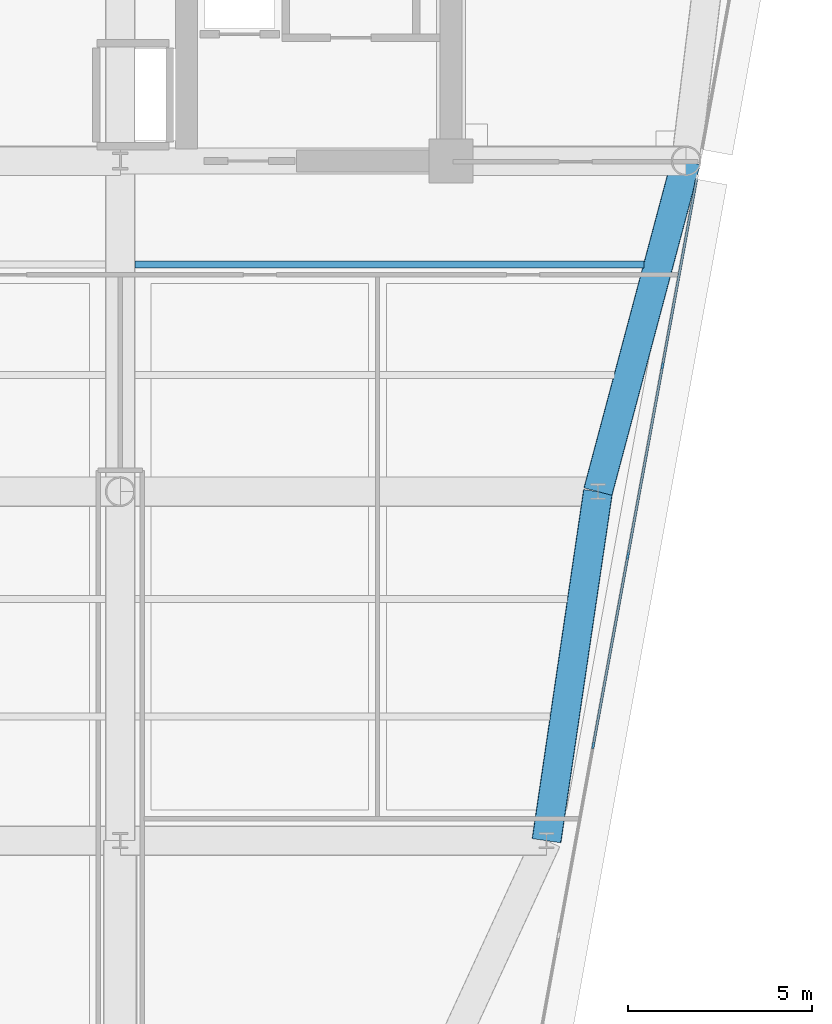
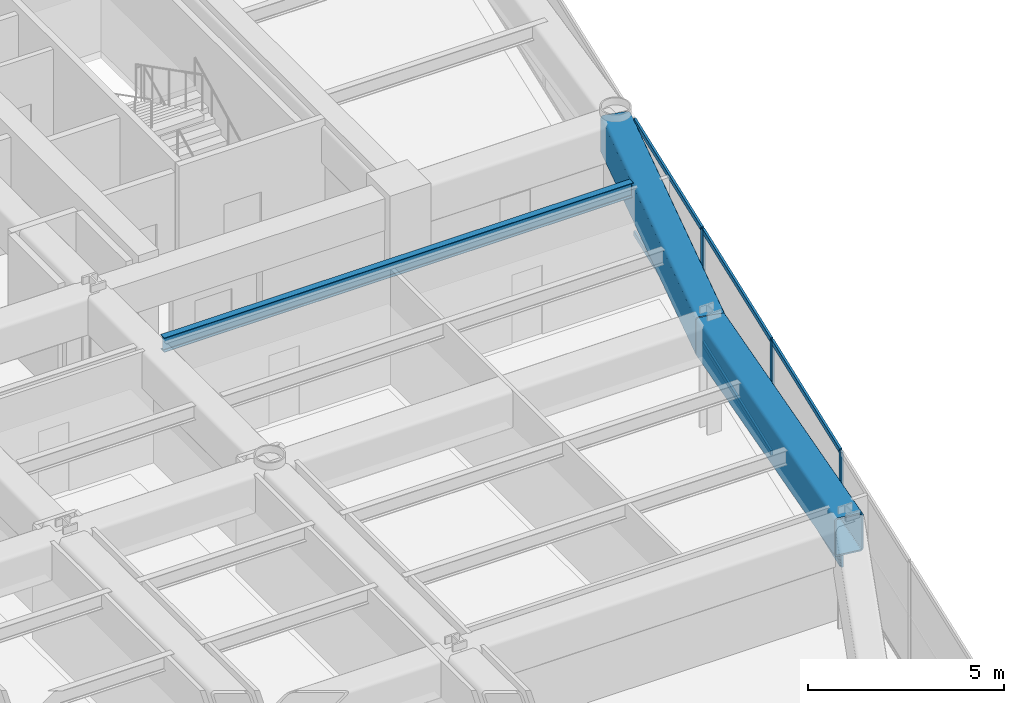
# One storey, part 6 of 17: 9 members, 3 beams, 1 element without a shape of its own.
"""IFC4 building model written with IfcOpenShell, lengths in metres."""

from ifc_helpers import new_model, si_unit, direction, frame, origin, origin_2d, place, context, subcontext, project, spatial, rectangle, hollow_rectangle, i_section, extrude, source, transform, mapped, material, layer, layer_set, material_profile, profile_set, type_object, element, aggregate, save


model = new_model("IFC4")

# Units and contexts
model_context = context("Model", 3, precision=1e-05, world=origin(), true_north=direction((0.0, 1.0)))
body_context = subcontext(model_context, "Body", "Model", "MODEL_VIEW")
ifc_project = project(units=[si_unit("LENGTHUNIT", "METRE"), si_unit("AREAUNIT", "SQUARE_METRE"), si_unit("VOLUMEUNIT", "CUBIC_METRE"), si_unit("PLANEANGLEUNIT", "RADIAN"), si_unit("MASSUNIT", "GRAM", prefix="KILO")], contexts=[model_context])

# Site, building, storey
site_placement = place(None, origin())
site = spatial("IfcSite", under=ifc_project, at=site_placement, CompositionType="ELEMENT")
building_placement = place(site_placement, origin())
building = spatial("IfcBuilding", under=site, at=building_placement, Name="Vaeldorn Concourse Tower", CompositionType="ELEMENT")
storey_placement = place(building_placement, frame((0.0, 0.0, 176.60009765625)))
storey = spatial("IfcBuildingStorey", under=building, at=storey_placement, Name="L45", CompositionType="ELEMENT", Elevation=176.60009765625)

# Beams
ifc_material_1 = material(Name="Steel S460", Category="steel")
ifc_material_profile_1 = material_profile(ifc_material_1, hollow_rectangle(XDim=0.800048828125, YDim=1.199951171875, WallThickness=0.044921875, InnerFilletRadius=0.044921875, OuterFilletRadius=0.090087890625, at=origin_2d()), Name="RHS 1200x800x45")
ifc_profile_set_1 = profile_set([ifc_material_profile_1], Name="Steel S460")
beam_type_1 = type_object("IfcBeamType", Name="BM-TG-RHS1200", PredefinedType="BEAM", material=ifc_profile_set_1)
shared_shape_1 = source(origin(), body_context, "Body", "SweptSolid", [
    extrude(hollow_rectangle(XDim=0.800048828125, YDim=1.199951171875, WallThickness=0.044921875, InnerFilletRadius=0.044921875, OuterFilletRadius=0.090087890625, at=origin_2d()), origin(), (0.0, 0.0, 1.0), 9.314453125),
])
beam_1_placement = place(storey_placement, frame((60.39990234375, 36.5, 2.97998046875), z_axis=(-0.257652862255, -0.966237549763, 0.0), x_axis=(0.966237549763, -0.257652862255, 0.0)))
element("IfcBeam", 1, at=beam_1_placement, inside=storey, type_object=beam_type_1, Name="Beam BM-L45-C-NE2-C-FLE1", PredefinedType="BEAM", context=body_context, shape_type="MappedRepresentation", body=[
    mapped(shared_shape_1, transform((0.0, 0.0, 0.0), scale=1.0)),
])
shared_shape_2 = source(origin(), body_context, "Body", "SweptSolid", [
    extrude(hollow_rectangle(XDim=0.800048828125, YDim=1.199951171875, WallThickness=0.044921875, InnerFilletRadius=0.044921875, OuterFilletRadius=0.090087890625, at=origin_2d()), origin(), (0.0, 0.0, 1.0), 9.6025390625),
])
beam_2_placement = place(storey_placement, frame((58.0, 27.5, 2.97998046875), z_axis=(-0.145783835977, -0.989316467652, 0.0), x_axis=(0.989316467652, -0.145783835977, 0.0)))
element("IfcBeam", 2, at=beam_2_placement, inside=storey, type_object=beam_type_1, Name="Beam BM-L45-C-FLE1-C-FLE2", PredefinedType="BEAM", context=body_context, shape_type="MappedRepresentation", body=[
    mapped(shared_shape_2, transform((0.0, 0.0, 0.0), scale=1.0)),
])
ifc_material_2 = material(Name="Steel S355", Category="steel")
ifc_material_profile_2 = material_profile(ifc_material_2, i_section(OverallWidth=0.18994140625, OverallDepth=0.449951171875, WebThickness=0.009521484375, FlangeThickness=0.0146484375, FilletRadius=0.02099609375, at=origin_2d()), Name="IPE 450")
ifc_profile_set_2 = profile_set([ifc_material_profile_2], Name="Steel S355")
beam_type_2 = type_object("IfcBeamType", Name="BM-JS-IPE450", PredefinedType="JOIST", material=ifc_profile_set_2)
shared_shape_3 = source(origin(), body_context, "Body", "SweptSolid", [
    extrude(i_section(OverallWidth=0.18994140625, OverallDepth=0.449951171875, WebThickness=0.009521484375, FlangeThickness=0.0146484375, FilletRadius=0.02099609375, at=origin_2d()), origin(), (0.0, 0.0, 1.0), 13.84814453125),
])
beam_3_placement = place(storey_placement, frame((45.39990234375, 33.679931640625, 3.35498046875), z_axis=(1.0, 0.0, 0.0), x_axis=(0.0, 1.0, 0.0)))
element("IfcBeam", 3, at=beam_3_placement, inside=storey, type_object=beam_type_2, Name="Beam JS-L45-E1-336", PredefinedType="JOIST", context=body_context, shape_type="MappedRepresentation", body=[
    mapped(shared_shape_3, transform((0.0, 0.0, 0.0), scale=1.0)),
])

# Curtain wall, members
ifc_material_3 = material(Name="Anodised Bronze Aluminium", Category="aluminium")
ifc_layer = layer(ifc_material_3, 0.18994140625)
ifc_layer_set = layer_set([ifc_layer], Name="Anodised Bronze Aluminium")
curtain_wall_type = type_object("IfcCurtainWallType", Name="CW-SYS-03", PredefinedType="NOTDEFINED", material=ifc_layer_set)
curtain_wall_placement = place(storey_placement, origin())
curtain_wall = element("IfcCurtainWall", 4, at=curtain_wall_placement, inside=storey, type_object=curtain_wall_type, Name="Unitised Curtain Wall CW-L45-E07-1", PredefinedType="NOTDEFINED")
ifc_material_profile_3 = material_profile(ifc_material_3, rectangle(XDim=0.06494140625, YDim=0.169921875, at=origin_2d()), Name="CWM 65x170")
ifc_profile_set_3 = profile_set([ifc_material_profile_3], Name="Anodised Bronze Aluminium")
member_type_1 = type_object("IfcMemberType", Name="CWM-BRONZE-170", PredefinedType="MULLION", material=ifc_profile_set_3)
shared_shape_4 = source(origin(), body_context, "Body", "SweptSolid", [
    extrude(rectangle(XDim=0.06494140625, YDim=0.169921875, at=origin_2d()), origin(), (0.0, 0.0, 1.0), 3.579833984375),
])
member_1_placement = place(storey_placement, frame((57.872802734375, 20.591796875, 0.0), z_axis=(0.0, 0.0, 1.0), x_axis=(-0.983767841325, 0.179445909331, 0.0)))
member_1 = element("IfcMember", 5, at=member_1_placement, type_object=member_type_1, Name="CW-03 mullion 4", PredefinedType="MULLION", context=body_context, shape_type="MappedRepresentation", body=[
    mapped(shared_shape_4, transform((0.0, 0.0, 0.0), scale=1.0)),
])
member_2_placement = place(storey_placement, frame((58.814697265625, 25.755615234375, 0.0), z_axis=(0.0, 0.0, 1.0), x_axis=(-0.983767841325, 0.179445909331, 0.0)))
member_2 = element("IfcMember", 6, at=member_2_placement, type_object=member_type_1, Name="CW-03 mullion 5", PredefinedType="MULLION", context=body_context, shape_type="MappedRepresentation", body=[
    mapped(shared_shape_4, transform((0.0, 0.0, 0.0), scale=1.0)),
])
member_3_placement = place(storey_placement, frame((59.756591796875, 30.919677734375, 0.0), z_axis=(0.0, 0.0, 1.0), x_axis=(-0.983767841325, 0.179445909331, 0.0)))
member_3 = element("IfcMember", 7, at=member_3_placement, type_object=member_type_1, Name="CW-03 mullion 6", PredefinedType="MULLION", context=body_context, shape_type="MappedRepresentation", body=[
    mapped(shared_shape_4, transform((0.0, 0.0, 0.0), scale=1.0)),
])
ifc_material_profile_4 = material_profile(ifc_material_3, rectangle(XDim=0.06494140625, YDim=0.14990234375, at=origin_2d()), Name="CWT 65x150")
ifc_profile_set_4 = profile_set([ifc_material_profile_4], Name="Anodised Bronze Aluminium")
member_type_2 = type_object("IfcMemberType", Name="CWT-BRONZE-150", PredefinedType="USERDEFINED", material=ifc_profile_set_4)
shared_shape_5 = source(origin(), body_context, "Body", "SweptSolid", [
    extrude(rectangle(XDim=0.06494140625, YDim=0.14990234375, at=origin_2d()), origin(), (0.0, 0.0, 1.0), 5.151611328125),
])
member_4_placement = place(storey_placement, frame((59.762451171875, 30.95166015625, 0.032470703125), z_axis=(0.179473445995, 0.983762818053, 0.0), x_axis=(-0.983762818053, 0.179473445995, 0.0)))
member_4 = element("IfcMember", 8, at=member_4_placement, type_object=member_type_2, Name="CW-03 transom 6.1", ObjectType="TRANSOM", PredefinedType="USERDEFINED", context=body_context, shape_type="MappedRepresentation", body=[
    mapped(shared_shape_5, transform((0.0, 0.0, 0.0), scale=1.0)),
])
member_5_placement = place(storey_placement, frame((59.762451171875, 30.95166015625, 3.54736328125), z_axis=(0.179473445995, 0.983762818053, 0.0), x_axis=(-0.983762818053, 0.179473445995, 0.0)))
member_5 = element("IfcMember", 9, at=member_5_placement, type_object=member_type_2, Name="CW-03 transom 6.2", ObjectType="TRANSOM", PredefinedType="USERDEFINED", context=body_context, shape_type="MappedRepresentation", body=[
    mapped(shared_shape_5, transform((0.0, 0.0, 0.0), scale=1.0)),
])
shared_shape_6 = source(origin(), body_context, "Body", "SweptSolid", [
    extrude(rectangle(XDim=0.06494140625, YDim=0.14990234375, at=origin_2d()), origin(), (0.0, 0.0, 1.0), 5.18408203125),
])
member_6_placement = place(storey_placement, frame((57.878662109375, 20.623779296875, 0.032470703125), z_axis=(0.179432467646, 0.983770293084, 0.0), x_axis=(-0.983770293084, 0.179432467646, 0.0)))
member_6 = element("IfcMember", 10, at=member_6_placement, type_object=member_type_2, Name="CW-03 transom 4.1", ObjectType="TRANSOM", PredefinedType="USERDEFINED", context=body_context, shape_type="MappedRepresentation", body=[
    mapped(shared_shape_6, transform((0.0, 0.0, 0.0), scale=1.0)),
])
member_7_placement = place(storey_placement, frame((57.878662109375, 20.623779296875, 3.54736328125), z_axis=(0.179432467646, 0.983770293084, 0.0), x_axis=(-0.983770293084, 0.179432467646, 0.0)))
member_7 = element("IfcMember", 11, at=member_7_placement, type_object=member_type_2, Name="CW-03 transom 4.2", ObjectType="TRANSOM", PredefinedType="USERDEFINED", context=body_context, shape_type="MappedRepresentation", body=[
    mapped(shared_shape_6, transform((0.0, 0.0, 0.0), scale=1.0)),
])
shared_shape_7 = source(origin(), body_context, "Body", "SweptSolid", [
    extrude(rectangle(XDim=0.06494140625, YDim=0.14990234375, at=origin_2d()), origin(), (0.0, 0.0, 1.0), 5.184326171875),
])
member_8_placement = place(storey_placement, frame((58.820556640625, 25.78759765625, 0.032470703125), z_axis=(0.179424154775, 0.983771809254, 0.0), x_axis=(-0.983771809254, 0.179424154775, 0.0)))
member_8 = element("IfcMember", 12, at=member_8_placement, type_object=member_type_2, Name="CW-03 transom 5.1", ObjectType="TRANSOM", PredefinedType="USERDEFINED", context=body_context, shape_type="MappedRepresentation", body=[
    mapped(shared_shape_7, transform((0.0, 0.0, 0.0), scale=1.0)),
])
member_9_placement = place(storey_placement, frame((58.820556640625, 25.78759765625, 3.54736328125), z_axis=(0.179424154775, 0.983771809254, 0.0), x_axis=(-0.983771809254, 0.179424154775, 0.0)))
member_9 = element("IfcMember", 13, at=member_9_placement, type_object=member_type_2, Name="CW-03 transom 5.2", ObjectType="TRANSOM", PredefinedType="USERDEFINED", context=body_context, shape_type="MappedRepresentation", body=[
    mapped(shared_shape_7, transform((0.0, 0.0, 0.0), scale=1.0)),
])
aggregate(curtain_wall, [member_1, member_2, member_3, member_6, member_7, member_8, member_9, member_4, member_5])

save(model, "model.ifc")
